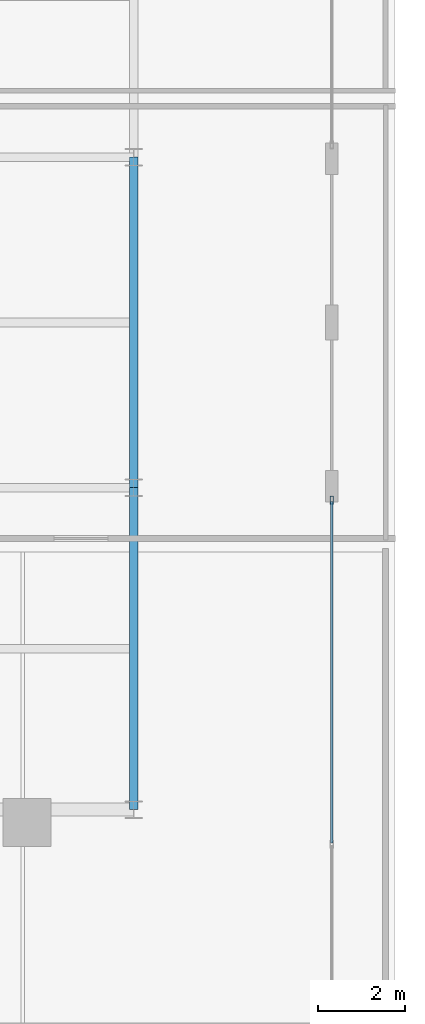
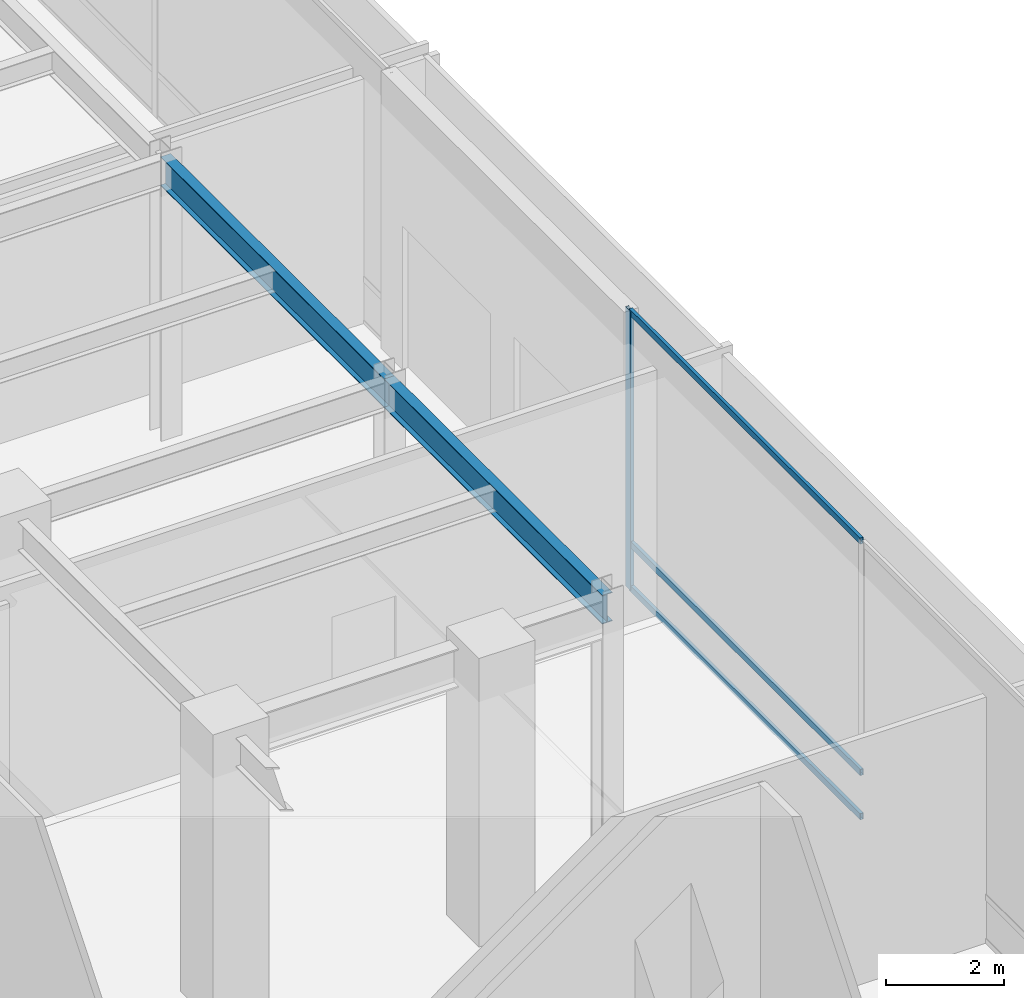
# One storey, part 24 of 40: 4 members, 2 beams, 1 element without a shape of its own.
"""IFC4 building model written with IfcOpenShell, lengths in metres."""

import ifcopenshell
import ifcopenshell.guid

model = None  # the IFC model being written
_history = None  # IfcOwnerHistory: only IFC2X3 demands one
_inside = {}  # id of a spatial element -> (the spatial element, [elements in it])
_under = {}  # id of a project, library or spatial element -> (it, [spatial elements below it])
_declared = {}  # id of a project -> (the project, [libraries it declares])
_typed = {}  # id of a type object -> (the type object, [elements of that type])
_made_of = {}  # id of a material, layer set ... -> (it, [elements and type objects made of it])


def new_model(schema):
    """Start an empty IFC model of exactly this schema.

    Asked for "IFC4X3", IfcOpenShell would pick the latest addendum, in which some entities
    have other attributes; the version numbers below select the first issue.
    IFC2X3 requires an IfcOwnerHistory on every rooted entity: one is made here for all.
    """
    global model, _history
    if schema == "IFC4X3":
        model = ifcopenshell.file(schema_version=(4, 3, 0, 0))
    else:
        model = ifcopenshell.file(schema=schema)
    _inside.clear()
    _under.clear()
    _declared.clear()
    _typed.clear()
    _made_of.clear()
    _history = None
    if model.schema == "IFC2X3":
        org = make("IfcOrganization", Name="unknown")
        user = make(
            "IfcPersonAndOrganization",
            ThePerson=make("IfcPerson", FamilyName="unknown"),
            TheOrganization=org,
        )
        app = make(
            "IfcApplication",
            ApplicationDeveloper=org,
            Version="unknown",
            ApplicationFullName="unknown",
            ApplicationIdentifier="unknown",
        )
        _history = make(
            "IfcOwnerHistory",
            OwningUser=user,
            OwningApplication=app,
            ChangeAction="ADDED",
            CreationDate=0,
        )
    return model


def make(cls, **values):
    """One entity of the class cls with the attributes given. An attribute that is None is left unset."""
    return model.create_entity(
        cls, **{name: value for name, value in values.items() if value is not None}
    )


def rooted(cls, **values):
    """An entity with a GlobalId (a new one), such as an element, a storey or a relation."""
    return make(cls, GlobalId=ifcopenshell.guid.new(), OwnerHistory=_history, **values)


def si_unit(unit_type, name, prefix=None):
    """IfcSIUnit, for example si_unit("LENGTHUNIT", "METRE", prefix="MILLI")."""
    return make("IfcSIUnit", UnitType=unit_type, Prefix=prefix, Name=name)


def assignment(units):
    """IfcUnitAssignment: the units of a project."""
    return None if units is None else make("IfcUnitAssignment", Units=units)


def point(xyz):
    """IfcCartesianPoint."""
    return None if xyz is None else make("IfcCartesianPoint", Coordinates=xyz)


def direction(xyz):
    """IfcDirection."""
    return None if xyz is None else make("IfcDirection", DirectionRatios=xyz)


def frame(location, z_axis=None, x_axis=None):
    """IfcAxis2Placement3D, a coordinate frame: its origin and axes. An axis left out is left unset."""
    return make(
        "IfcAxis2Placement3D",
        Location=point(location),
        Axis=direction(z_axis),
        RefDirection=direction(x_axis),
    )


def frame_2d(location, x_axis=None):
    """IfcAxis2Placement2D, a coordinate frame in the plane: its origin and x axis."""
    return make(
        "IfcAxis2Placement2D", Location=point(location), RefDirection=direction(x_axis)
    )


def origin():
    """The frame at (0, 0, 0) with its axes left unset."""
    return frame((0.0, 0.0, 0.0))


def origin_2d():
    """The frame at (0, 0) in the plane with its x axis left unset."""
    return frame_2d((0.0, 0.0))


def place(relative_to, where):
    """IfcLocalPlacement: puts the frame where relative to a parent placement (None: the world)."""
    return make(
        "IfcLocalPlacement", PlacementRelTo=relative_to, RelativePlacement=where
    )


def context(
    kind, dimensions, precision=None, world=None, true_north=None, identifier=None
):
    """IfcGeometricRepresentationContext, for example the 3D "Model" context."""
    return make(
        "IfcGeometricRepresentationContext",
        ContextIdentifier=identifier,
        ContextType=kind,
        CoordinateSpaceDimension=dimensions,
        Precision=precision,
        WorldCoordinateSystem=world,
        TrueNorth=true_north,
    )


def subcontext(parent, identifier, kind, view, scale=None):
    """IfcGeometricRepresentationSubContext, for example "Body" below "Model"."""
    return make(
        "IfcGeometricRepresentationSubContext",
        ContextIdentifier=identifier,
        ContextType=kind,
        ParentContext=parent,
        TargetScale=scale,
        TargetView=view,
    )


def project(units=None, contexts=None):
    """IfcProject with its units and contexts."""
    return rooted(
        "IfcProject",
        Name="project",
        RepresentationContexts=contexts,
        UnitsInContext=assignment(units),
    )


def spatial(cls, under=None, at=None, **own):
    """A site, building, storey or space (cls), placed at a placement, below another one or the project."""
    s = rooted(cls, ObjectPlacement=at, **own)
    if under is not None:
        _under.setdefault(under.id(), (under, []))[1].append(s)
    return s


def profile(cls, at=None, kind="AREA", **sizes):
    """A parametric profile (cls). Its sizes go by their IFC names, for example OverallWidth=200.0."""
    return make(cls, ProfileType=kind, Position=at, **sizes)


def hollow_rectangle(**sizes):
    """IfcRectangleHollowProfileDef."""
    return profile("IfcRectangleHollowProfileDef", **sizes)


def i_section(**sizes):
    """IfcIShapeProfileDef."""
    return profile("IfcIShapeProfileDef", **sizes)


def extrude(swept, where, along, depth):
    """IfcExtrudedAreaSolid: the profile swept, set in the frame where, extruded along a direction by depth."""
    return make(
        "IfcExtrudedAreaSolid",
        SweptArea=swept,
        Position=where,
        ExtrudedDirection=direction(along),
        Depth=depth,
    )


def shape(context_of_items, identifier, shape_type, items):
    """IfcShapeRepresentation: the items that make up one representation, for example the "Body"."""
    return make(
        "IfcShapeRepresentation",
        ContextOfItems=context_of_items,
        RepresentationIdentifier=identifier,
        RepresentationType=shape_type,
        Items=items,
    )


def material(Name=None, Category=None):
    """IfcMaterial."""
    return make("IfcMaterial", Name=Name, Category=Category)


def layer(
    of_material, thickness, ventilated=None, Name=None, Category=None, Priority=None
):
    """IfcMaterialLayer: one layer of a wall or slab, of a material (None: an air gap)."""
    return make(
        "IfcMaterialLayer",
        Material=of_material,
        LayerThickness=thickness,
        IsVentilated=ventilated,
        Name=Name,
        Category=Category,
        Priority=Priority,
    )


def layer_set(layers, Name=None):
    """IfcMaterialLayerSet."""
    return make("IfcMaterialLayerSet", MaterialLayers=layers, LayerSetName=Name)


def material_profile(
    of_material, cross_section, Name=None, Category=None, Priority=None
):
    """IfcMaterialProfile: a cross section and its material."""
    return make(
        "IfcMaterialProfile",
        Name=Name,
        Material=of_material,
        Profile=cross_section,
        Priority=Priority,
        Category=Category,
    )


def profile_set(profiles, Name=None, composite=None):
    """IfcMaterialProfileSet."""
    return make(
        "IfcMaterialProfileSet",
        Name=Name,
        MaterialProfiles=profiles,
        CompositeProfile=composite,
    )


def made_of(thing, what):
    """Note that an element or type object is made of a material, layer set ...; save() writes the relation."""
    if what is not None:
        _made_of.setdefault(what.id(), (what, []))[1].append(thing)
    return thing


def type_object(cls, material=None, **own):
    """A type object (cls), such as IfcWallType, which elements share."""
    return made_of(rooted(cls, **own), material)


def element(
    cls,
    number,
    at=None,
    inside=None,
    cuts=None,
    type_object=None,
    material=None,
    context=None,
    identifier="Body",
    shape_type=None,
    held_by="IfcProductDefinitionShape",
    body=None,
    shapes=None,
    **own,
):
    """One element of the class cls, such as IfcWall. Its Tag is "e" and its number.

    at: its placement. inside: the storey or other place that contains it. cuts: it is an
    opening in that element (IfcRelVoidsElement). A single representation is given by context,
    identifier, shape_type and body (its items); several are given by shapes. held_by: the class
    of the entity that holds the representations. save() writes the other relations.
    """
    e = rooted(cls, Tag="e%d" % number, ObjectPlacement=at, **own)
    if body is not None:
        shapes = [shape(context, identifier, shape_type, body)]
    if shapes is not None:
        e.Representation = make(held_by, Representations=shapes)
    if inside is not None:
        _inside.setdefault(inside.id(), (inside, []))[1].append(e)
    if cuts is not None:
        rooted(
            "IfcRelVoidsElement", RelatingBuildingElement=cuts, RelatedOpeningElement=e
        )
    if type_object is not None:
        _typed.setdefault(type_object.id(), (type_object, []))[1].append(e)
    return made_of(e, material)


def aggregate(whole, parts):
    """IfcRelAggregates: a whole, such as a stair, and the parts it consists of."""
    return rooted("IfcRelAggregates", RelatingObject=whole, RelatedObjects=parts)


def save(model, path):
    """Write the relations noted so far, then the file.

    IfcRelAggregates (storeys below a building ...), IfcRelContainedInSpatialStructure (elements
    in a storey), IfcRelDefinesByType, IfcRelAssociatesMaterial and IfcRelDeclares: one each for
    every whole, place, type object, material and project.
    """
    for whole, parts in _under.values():
        aggregate(whole, parts)
    for where, things in _inside.values():
        rooted(
            "IfcRelContainedInSpatialStructure",
            RelatedElements=things,
            RelatingStructure=where,
        )
    for kind, things in _typed.values():
        rooted("IfcRelDefinesByType", RelatedObjects=things, RelatingType=kind)
    for what, things in _made_of.values():
        rooted("IfcRelAssociatesMaterial", RelatedObjects=things, RelatingMaterial=what)
    for by, libraries in _declared.values():
        rooted("IfcRelDeclares", RelatingContext=by, RelatedDefinitions=libraries)
    model.write(path)


model = new_model("IFC4")

# Units and contexts
model_context = context("Model", 3, precision=1e-05, world=origin(), true_north=direction((0.0, 1.0)))
body_context = subcontext(model_context, "Body", "Model", "MODEL_VIEW")
ifc_project = project(units=[si_unit("LENGTHUNIT", "METRE"), si_unit("AREAUNIT", "SQUARE_METRE"), si_unit("VOLUMEUNIT", "CUBIC_METRE"), si_unit("PLANEANGLEUNIT", "RADIAN"), si_unit("MASSUNIT", "GRAM", prefix="KILO")], contexts=[model_context])

# Site, building, storey
site_placement = place(None, origin())
site = spatial("IfcSite", under=ifc_project, at=site_placement, CompositionType="ELEMENT")
building_placement = place(site_placement, origin())
building = spatial("IfcBuilding", under=site, at=building_placement, Name="Qianvela Tower", CompositionType="ELEMENT")
storey_placement = place(building_placement, origin())
storey = spatial("IfcBuildingStorey", under=building, at=storey_placement, Name="L00", CompositionType="ELEMENT", Elevation=0.0)

# Beams
ifc_material_1 = material(Name="Steel Q355B", Category="steel")
ifc_material_profile_1 = material_profile(ifc_material_1, i_section(OverallWidth=0.199951171875, OverallDepth=0.60009765625, WebThickness=0.010986328125, FlangeThickness=0.01708984375, at=origin_2d()), Name="HN600x200x11x17")
ifc_profile_set_1 = profile_set([ifc_material_profile_1], Name="Steel Q355B")
beam_type = type_object("IfcBeamType", Name="BM-HN600-GIRD", PredefinedType="BEAM", material=ifc_profile_set_1)
beam_1_placement = place(storey_placement, frame((67.5, 14.800048828125, 5.47802734375), z_axis=(0.0, 1.0, 0.0), x_axis=(-1.0, 0.0, 0.0)))
element("IfcBeam", 1, at=beam_1_placement, inside=storey, type_object=beam_type, Name="L00 North-South Grid Girder 32", PredefinedType="BEAM", context=body_context, shape_type="SweptSolid", body=[
    extrude(i_section(OverallWidth=0.199951171875, OverallDepth=0.60009765625, WebThickness=0.010986328125, FlangeThickness=0.01708984375, at=origin_2d()), origin(), (0.0, 0.0, 1.0), 7.39990234375),
])
beam_2_placement = place(storey_placement, frame((67.5, 22.199951171875, 5.47802734375), z_axis=(0.0, 1.0, 0.0), x_axis=(-1.0, 0.0, 0.0)))
element("IfcBeam", 2, at=beam_2_placement, inside=storey, type_object=beam_type, Name="L00 North-South Grid Girder 33", PredefinedType="BEAM", context=body_context, shape_type="SweptSolid", body=[
    extrude(i_section(OverallWidth=0.199951171875, OverallDepth=0.60009765625, WebThickness=0.010986328125, FlangeThickness=0.01708984375, at=origin_2d()), origin(), (0.0, 0.0, 1.0), 7.60009765625),
])

# Curtain wall, members
ifc_material_2 = material(Name="Anodised Architectural Aluminium and Low-E Glass", Category="aluminium")
ifc_layer = layer(ifc_material_2, 0.199951171875)
ifc_layer_set = layer_set([ifc_layer], Name="Anodised Architectural Aluminium and Low-E Glass")
curtain_wall_type = type_object("IfcCurtainWallType", Name="CW-CONCOURSE", PredefinedType="USERDEFINED", material=ifc_layer_set)
curtain_wall_placement = place(storey_placement, origin())
curtain_wall = element("IfcCurtainWall", 3, at=curtain_wall_placement, inside=storey, type_object=curtain_wall_type, Name="L00 CW-CONCOURSE Curtain Wall 03A", ObjectType="CURTAIN_WALL_SYSTEM", PredefinedType="USERDEFINED")
ifc_material_3 = material(Name="Anodised Architectural Aluminium 6063-T6", Category="aluminium")
ifc_material_profile_2 = material_profile(ifc_material_3, hollow_rectangle(XDim=0.070068359375, YDim=0.179931640625, WallThickness=0.0048828125, at=origin_2d()), Name="ALU-MULL-70x180")
ifc_profile_set_2 = profile_set([ifc_material_profile_2], Name="Anodised Architectural Aluminium 6063-T6")
member_type_1 = type_object("IfcMemberType", Name="CW-CONCOURSE-MULL", PredefinedType="MULLION", material=ifc_profile_set_2)
member_1_placement = place(storey_placement, frame((72.050048828125, 21.9150390625, 0.0), z_axis=(0.0, 0.0, 1.0), x_axis=(-1.0, 0.0, 0.0)))
member_1 = element("IfcMember", 4, at=member_1_placement, type_object=member_type_1, Name="CW-1 mullion 3", PredefinedType="MULLION", context=body_context, shape_type="SweptSolid", body=[
    extrude(hollow_rectangle(XDim=0.070068359375, YDim=0.179931640625, WallThickness=0.0048828125, at=origin_2d()), origin(), (0.0, 0.0, 1.0), 5.780029296875),
])
ifc_material_4 = material(Name="Anodised Architectural Aluminium 6063-T6", Category="aluminium")
ifc_material_profile_3 = material_profile(ifc_material_4, hollow_rectangle(XDim=0.06494140625, YDim=0.1298828125, WallThickness=0.00439453125, at=origin_2d()), Name="ALU-TRAN-65x130")
ifc_profile_set_3 = profile_set([ifc_material_profile_3], Name="Anodised Architectural Aluminium 6063-T6")
member_type_2 = type_object("IfcMemberType", Name="CW-CONCOURSE-TRAN", PredefinedType="USERDEFINED", material=ifc_profile_set_3)
member_2_placement = place(storey_placement, frame((72.050048828125, 14.034912109375, 0.032470703125), z_axis=(0.0, 1.0, 0.0), x_axis=(-1.0, 0.0, 0.0)))
member_2 = element("IfcMember", 5, at=member_2_placement, type_object=member_type_2, Name="CW-1 transom 2.1", ObjectType="TRANSOM", PredefinedType="USERDEFINED", context=body_context, shape_type="SweptSolid", body=[
    extrude(hollow_rectangle(XDim=0.06494140625, YDim=0.1298828125, WallThickness=0.00439453125, at=origin_2d()), origin(), (0.0, 0.0, 1.0), 7.844970703125),
])
member_3_placement = place(storey_placement, frame((72.050048828125, 14.034912109375, 0.949951171875), z_axis=(0.0, 1.0, 0.0), x_axis=(-1.0, 0.0, 0.0)))
member_3 = element("IfcMember", 6, at=member_3_placement, type_object=member_type_2, Name="CW-1 transom 2.2", ObjectType="TRANSOM", PredefinedType="USERDEFINED", context=body_context, shape_type="SweptSolid", body=[
    extrude(hollow_rectangle(XDim=0.06494140625, YDim=0.1298828125, WallThickness=0.00439453125, at=origin_2d()), origin(), (0.0, 0.0, 1.0), 7.844970703125),
])
member_4_placement = place(storey_placement, frame((72.050048828125, 14.034912109375, 5.74755859375), z_axis=(0.0, 1.0, 0.0), x_axis=(-1.0, 0.0, 0.0)))
member_4 = element("IfcMember", 7, at=member_4_placement, type_object=member_type_2, Name="CW-1 transom 2.3", ObjectType="TRANSOM", PredefinedType="USERDEFINED", context=body_context, shape_type="SweptSolid", body=[
    extrude(hollow_rectangle(XDim=0.06494140625, YDim=0.1298828125, WallThickness=0.00439453125, at=origin_2d()), origin(), (0.0, 0.0, 1.0), 7.844970703125),
])
aggregate(curtain_wall, [member_1, member_2, member_3, member_4])

save(model, "model.ifc")
